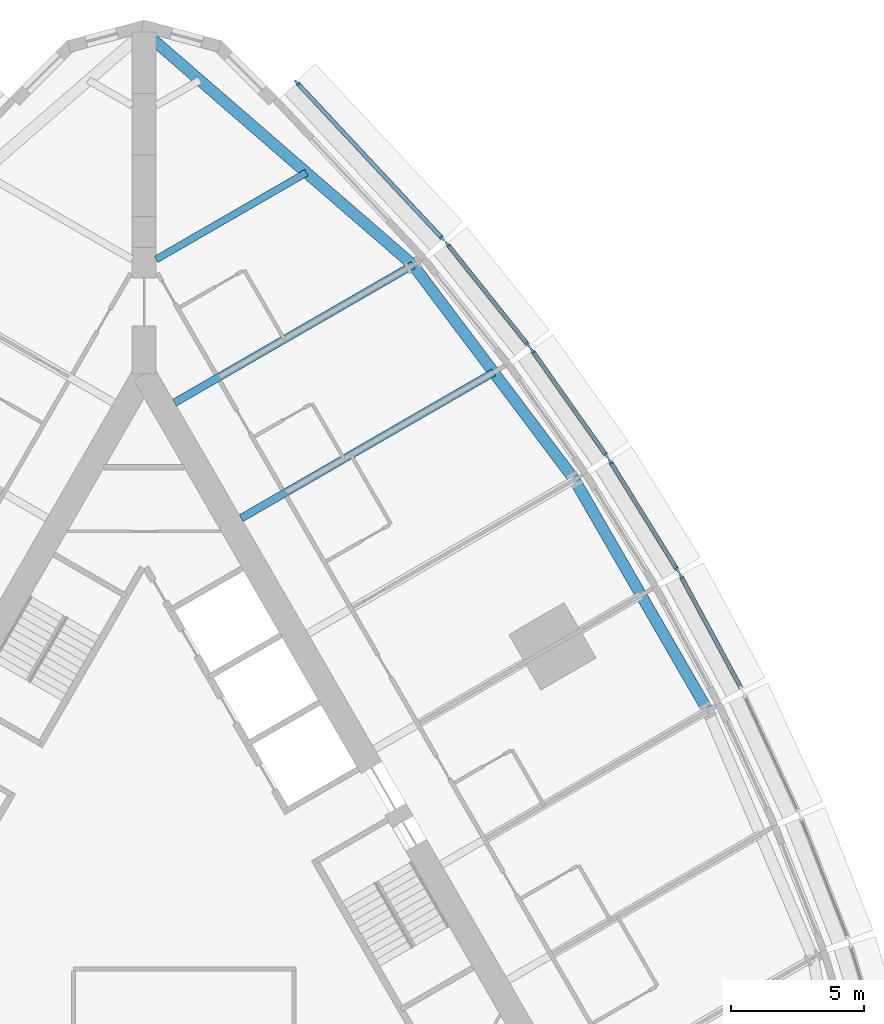
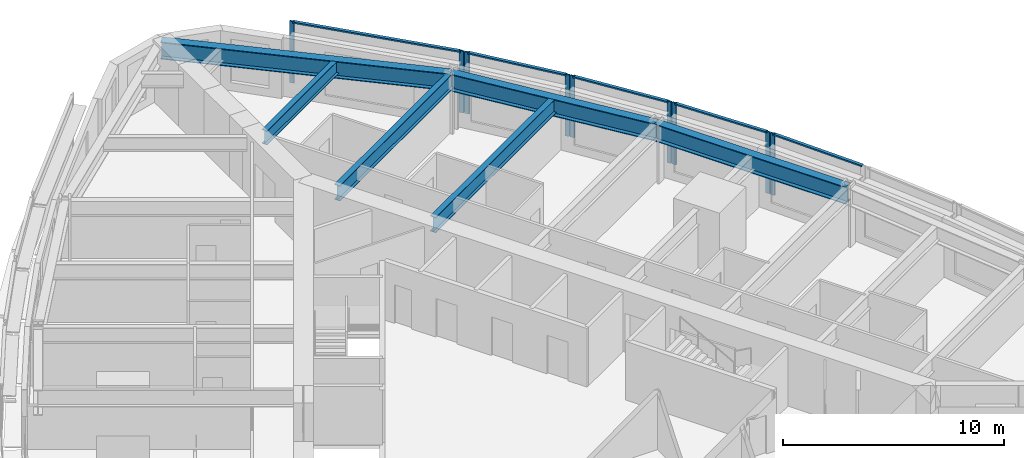
# One storey, part 5 of 14: 14 members, 6 beams, 5 elements without a shape of their own.
"""IFC4 building model written with IfcOpenShell, lengths in metres."""

from ifc_helpers import new_model, si_unit, direction, frame, origin, origin_2d, place, context, subcontext, project, spatial, rectangle, i_section, extrude, material, material_profile, profile_set, type_object, element, aggregate, save


model = new_model("IFC4")

# Units and contexts
model_context = context("Model", 3, precision=1e-05, world=origin(), true_north=direction((0.0, 1.0)))
body_context = subcontext(model_context, "Body", "Model", "MODEL_VIEW")
ifc_project = project(units=[si_unit("LENGTHUNIT", "METRE"), si_unit("AREAUNIT", "SQUARE_METRE"), si_unit("VOLUMEUNIT", "CUBIC_METRE"), si_unit("PLANEANGLEUNIT", "RADIAN"), si_unit("MASSUNIT", "GRAM", prefix="KILO")], contexts=[model_context])

# Site, building, storey
site_placement = place(None, origin())
site = spatial("IfcSite", under=ifc_project, at=site_placement, CompositionType="ELEMENT")
building_placement = place(site_placement, origin())
building = spatial("IfcBuilding", under=site, at=building_placement, Name="Trikona Tower", CompositionType="ELEMENT")
storey_placement = place(building_placement, frame((0.0, 0.0, 52.300048828125)))
storey = spatial("IfcBuildingStorey", under=building, at=storey_placement, Name="L12", CompositionType="ELEMENT", Elevation=52.300048828125)

# Curtain wall, member
ifc_material_1 = material(Name="Aluminium curtain wall system", Category="aluminium")
curtain_wall_type = type_object("IfcCurtainWallType", Name="Curtain wall DS1", PredefinedType="NOTDEFINED", material=ifc_material_1)
curtain_wall_1_placement = place(storey_placement, origin())
curtain_wall_1 = element("IfcCurtainWall", 1, at=curtain_wall_1_placement, inside=storey, type_object=curtain_wall_type, Name="Curtain wall DS1 L12", PredefinedType="NOTDEFINED")
ifc_material_2 = material(Name="Aluminium mullion, pale anodised", Category="aluminium")
ifc_material_profile_1 = material_profile(ifc_material_2, rectangle(XDim=0.080078125, YDim=0.219970703125, at=origin_2d()), Name="MUL-DS1")
ifc_profile_set_1 = profile_set([ifc_material_profile_1], Name="Aluminium mullion, pale anodised")
member_type_1 = type_object("IfcMemberType", Name="Mullion DS1 80x220", PredefinedType="MULLION", material=ifc_profile_set_1)
member_1_placement = place(storey_placement, frame((20.128662109375, 11.474365234375, 0.0), z_axis=(0.0, 0.0, 1.0), x_axis=(-0.880843080975, -0.473408350896, 0.0)))
member_1 = element("IfcMember", 2, at=member_1_placement, type_object=member_type_1, Name="CW-DS1 mullion 2", PredefinedType="MULLION", context=body_context, shape_type="SweptSolid", body=[
    extrude(rectangle(XDim=0.080078125, YDim=0.219970703125, at=origin_2d()), origin(), (0.0, 0.0, 1.0), 3.39990234375),
])

# Curtain wall, members
curtain_wall_2_placement = place(storey_placement, origin())
curtain_wall_2 = element("IfcCurtainWall", 3, at=curtain_wall_2_placement, inside=storey, type_object=curtain_wall_type, Name="Curtain wall DS1 L12", PredefinedType="NOTDEFINED")
member_2_placement = place(storey_placement, frame((20.00146484375, 11.69482421875, 0.0), z_axis=(0.0, 0.0, 1.0), x_axis=(-0.850410468941, -0.526119790842, 0.0)))
member_2 = element("IfcMember", 4, at=member_2_placement, type_object=member_type_1, Name="CW-DS1 mullion 1", PredefinedType="MULLION", context=body_context, shape_type="SweptSolid", body=[
    extrude(rectangle(XDim=0.080078125, YDim=0.219970703125, at=origin_2d()), origin(), (0.0, 0.0, 1.0), 3.39990234375),
])
member_3_placement = place(storey_placement, frame((17.474853515625, 15.77880859375, 0.0), z_axis=(0.0, 0.0, 1.0), x_axis=(-0.850410468941, -0.526119790842, 0.0)))
member_3 = element("IfcMember", 5, at=member_3_placement, type_object=member_type_1, Name="CW-DS1 mullion 2", PredefinedType="MULLION", context=body_context, shape_type="SweptSolid", body=[
    extrude(rectangle(XDim=0.080078125, YDim=0.219970703125, at=origin_2d()), origin(), (0.0, 0.0, 1.0), 3.39990234375),
])

curtain_wall_3_placement = place(storey_placement, origin())
curtain_wall_3 = element("IfcCurtainWall", 6, at=curtain_wall_3_placement, inside=storey, type_object=curtain_wall_type, Name="Curtain wall DS1 L12", PredefinedType="NOTDEFINED")
member_4_placement = place(storey_placement, frame((17.33447265625, 15.990966796875, 0.0), z_axis=(0.0, 0.0, 1.0), x_axis=(-0.816985393055, -0.576658362928, 0.0)))
member_4 = element("IfcMember", 7, at=member_4_placement, type_object=member_type_1, Name="CW-DS1 mullion 1", PredefinedType="MULLION", context=body_context, shape_type="SweptSolid", body=[
    extrude(rectangle(XDim=0.080078125, YDim=0.219970703125, at=origin_2d()), origin(), (0.0, 0.0, 1.0), 3.39990234375),
])
member_5_placement = place(storey_placement, frame((14.554443359375, 19.929443359375, 0.0), z_axis=(0.0, 0.0, 1.0), x_axis=(-0.816985393055, -0.576658362928, 0.0)))
member_5 = element("IfcMember", 8, at=member_5_placement, type_object=member_type_1, Name="CW-DS1 mullion 2", PredefinedType="MULLION", context=body_context, shape_type="SweptSolid", body=[
    extrude(rectangle(XDim=0.080078125, YDim=0.219970703125, at=origin_2d()), origin(), (0.0, 0.0, 1.0), 3.39990234375),
])

curtain_wall_4_placement = place(storey_placement, origin())
curtain_wall_4 = element("IfcCurtainWall", 9, at=curtain_wall_4_placement, inside=storey, type_object=curtain_wall_type, Name="Curtain wall DS1 L12", PredefinedType="NOTDEFINED")
member_6_placement = place(storey_placement, frame((14.40185546875, 20.13232421875, 0.0), z_axis=(0.0, 0.0, 1.0), x_axis=(-0.780937959679, -0.624608599951, 0.0)))
member_6 = element("IfcMember", 10, at=member_6_placement, type_object=member_type_1, Name="CW-DS1 mullion 1", PredefinedType="MULLION", context=body_context, shape_type="SweptSolid", body=[
    extrude(rectangle(XDim=0.080078125, YDim=0.219970703125, at=origin_2d()), origin(), (0.0, 0.0, 1.0), 3.39990234375),
])
member_7_placement = place(storey_placement, frame((11.36767578125, 23.926025390625, 0.0), z_axis=(0.0, 0.0, 1.0), x_axis=(-0.780937959679, -0.624608599951, 0.0)))
member_7 = element("IfcMember", 11, at=member_7_placement, type_object=member_type_1, Name="CW-DS1 mullion 2", PredefinedType="MULLION", context=body_context, shape_type="SweptSolid", body=[
    extrude(rectangle(XDim=0.080078125, YDim=0.219970703125, at=origin_2d()), origin(), (0.0, 0.0, 1.0), 3.39990234375),
])

curtain_wall_5_placement = place(storey_placement, origin())
curtain_wall_5 = element("IfcCurtainWall", 12, at=curtain_wall_5_placement, inside=storey, type_object=curtain_wall_type, Name="Curtain wall DS1 L12", PredefinedType="NOTDEFINED")
member_8_placement = place(storey_placement, frame((11.192138671875, 24.129150390625, 0.0), z_axis=(0.0, 0.0, 1.0), x_axis=(-0.731076639405, -0.682295351967, 0.0)))
member_8 = element("IfcMember", 13, at=member_8_placement, type_object=member_type_1, Name="CW-DS1 mullion 1", PredefinedType="MULLION", context=body_context, shape_type="SweptSolid", body=[
    extrude(rectangle(XDim=0.080078125, YDim=0.219970703125, at=origin_2d()), origin(), (0.0, 0.0, 1.0), 3.39990234375),
])
member_9_placement = place(storey_placement, frame((5.72607421875, 29.98583984375, 0.0), z_axis=(0.0, 0.0, 1.0), x_axis=(-0.731076639405, -0.682295351967, 0.0)))
member_9 = element("IfcMember", 14, at=member_9_placement, type_object=member_type_1, Name="CW-DS1 mullion 2", PredefinedType="MULLION", context=body_context, shape_type="SweptSolid", body=[
    extrude(rectangle(XDim=0.080078125, YDim=0.219970703125, at=origin_2d()), origin(), (0.0, 0.0, 1.0), 3.39990234375),
])

# Beams
ifc_material_3 = material(Name="Steel ASTM A992 Grade 50", Category="steel")
ifc_material_profile_2 = material_profile(ifc_material_3, i_section(OverallWidth=0.2666015625, OverallDepth=0.76953125, WebThickness=0.015625, FlangeThickness=0.025390625, at=origin_2d()), Name="W30X132")
ifc_profile_set_2 = profile_set([ifc_material_profile_2], Name="Steel ASTM A992 Grade 50")
beam_type_1 = type_object("IfcBeamType", Name="Steel beam W30x132 (wedge)", PredefinedType="BEAM", material=ifc_profile_set_2)
beam_1_placement = place(storey_placement, frame((0.449951171875, 23.353759765625, 2.85009765625), z_axis=(0.866022504693, 0.50000502134, 0.0), x_axis=(-0.50000502134, 0.866022504693, 0.0)))
element("IfcBeam", 15, at=beam_1_placement, inside=storey, type_object=beam_type_1, Name="Floor beam L13 F2 u20", PredefinedType="BEAM", context=body_context, shape_type="SweptSolid", body=[
    extrude(i_section(OverallWidth=0.2666015625, OverallDepth=0.76953125, WebThickness=0.015625, FlangeThickness=0.025390625, at=origin_2d()), origin(), (0.0, 0.0, 1.0), 6.5068359375),
])
ifc_material_4 = material(Name="Steel ASTM A992 Grade 50", Category="steel")
ifc_material_profile_3 = material_profile(ifc_material_4, i_section(OverallWidth=0.2919921875, OverallDepth=0.845703125, WebThickness=0.015380859375, FlangeThickness=0.0244140625, at=origin_2d()), Name="W33X141")
ifc_profile_set_3 = profile_set([ifc_material_profile_3], Name="Steel ASTM A992 Grade 50")
beam_type_2 = type_object("IfcBeamType", Name="Steel beam W33x141 (radial typ)", PredefinedType="BEAM", material=ifc_profile_set_3)
beam_2_placement = place(storey_placement, frame((3.6396484375, 13.6484375, 2.81201171875), z_axis=(0.866025348605, 0.500000095573, 0.0), x_axis=(-0.500000095573, 0.866025348605, 0.0)))
element("IfcBeam", 16, at=beam_2_placement, inside=storey, type_object=beam_type_2, Name="Floor beam L13 F2 u10", PredefinedType="BEAM", context=body_context, shape_type="SweptSolid", body=[
    extrude(i_section(OverallWidth=0.2919921875, OverallDepth=0.845703125, WebThickness=0.015380859375, FlangeThickness=0.0244140625, at=origin_2d()), origin(), (0.0, 0.0, 1.0), 10.935546875),
])
beam_3_placement = place(storey_placement, frame((1.1396484375, 17.978515625, 2.81201171875), z_axis=(0.866030471684, 0.499991222037, 0.0), x_axis=(-0.499991222037, 0.866030471684, 0.0)))
element("IfcBeam", 17, at=beam_3_placement, inside=storey, type_object=beam_type_2, Name="Floor beam L13 F2 u15", PredefinedType="BEAM", context=body_context, shape_type="SweptSolid", body=[
    extrude(i_section(OverallWidth=0.2919921875, OverallDepth=0.845703125, WebThickness=0.015380859375, FlangeThickness=0.0244140625, at=origin_2d()), origin(), (0.0, 0.0, 1.0), 10.326904296875),
])
ifc_material_5 = material(Name="Steel ASTM A992 Grade 50", Category="steel")
ifc_material_profile_4 = material_profile(ifc_material_5, i_section(OverallWidth=0.424072265625, OverallDepth=0.947509765625, WebThickness=0.02392578125, FlangeThickness=0.042724609375, at=origin_2d()), Name="W36X302")
ifc_profile_set_4 = profile_set([ifc_material_profile_4], Name="Steel ASTM A992 Grade 50")
beam_type_3 = type_object("IfcBeamType", Name="Steel beam W36x302 (spandrel)", PredefinedType="SPANDREL", material=ifc_profile_set_4)
beam_4_placement = place(storey_placement, frame((21.13720703125, 6.43017578125, 2.76123046875), z_axis=(-0.500004234368, 0.866022959057, 0.0), x_axis=(-0.866022959057, -0.500004234368, 0.0)))
element("IfcBeam", 18, at=beam_4_placement, inside=storey, type_object=beam_type_3, Name="Spandrel beam L13 F2-3", PredefinedType="SPANDREL", context=body_context, shape_type="SweptSolid", body=[
    extrude(i_section(OverallWidth=0.424072265625, OverallDepth=0.947509765625, WebThickness=0.02392578125, FlangeThickness=0.042724609375, at=origin_2d()), origin(), (0.0, 0.0, 1.0), 10.0),
])
beam_5_placement = place(storey_placement, frame((16.13720703125, 15.09033203125, 2.76123046875), z_axis=(-0.600988344191, 0.799257787042, 0.0), x_axis=(-0.799257787042, -0.600988344191, 0.0)))
element("IfcBeam", 19, at=beam_5_placement, inside=storey, type_object=beam_type_3, Name="Spandrel beam L13 F2-4", PredefinedType="SPANDREL", context=body_context, shape_type="SweptSolid", body=[
    extrude(i_section(OverallWidth=0.424072265625, OverallDepth=0.947509765625, WebThickness=0.02392578125, FlangeThickness=0.042724609375, at=origin_2d()), origin(), (0.0, 0.0, 1.0), 10.07373046875),
])
beam_6_placement = place(storey_placement, frame((10.0830078125, 23.141845703125, 2.76123046875), z_axis=(-0.755646822726, 0.654979296851, 0.0), x_axis=(-0.654979296851, -0.755646822726, 0.0)))
element("IfcBeam", 20, at=beam_6_placement, inside=storey, type_object=beam_type_3, Name="Spandrel beam L13 F2-5", PredefinedType="SPANDREL", context=body_context, shape_type="SweptSolid", body=[
    extrude(i_section(OverallWidth=0.424072265625, OverallDepth=0.947509765625, WebThickness=0.02392578125, FlangeThickness=0.042724609375, at=origin_2d()), origin(), (0.0, 0.0, 1.0), 13.343505859375),
])

# Member
ifc_material_6 = material(Name="Aluminium transom, pale anodised", Category="aluminium")
ifc_material_profile_5 = material_profile(ifc_material_6, rectangle(XDim=0.159912109375, YDim=0.080078125, at=origin_2d()), Name="TRN-DS1")
ifc_profile_set_5 = profile_set([ifc_material_profile_5], Name="Aluminium transom, pale anodised")
member_type_2 = type_object("IfcMemberType", Name="Transom DS1 80x160", PredefinedType="USERDEFINED", material=ifc_profile_set_5)
member_10_placement = place(storey_placement, frame((22.38330078125, 7.279541015625, 3.35986328125), z_axis=(-0.473427569755, 0.880832751546, 0.0), x_axis=(-0.880832751546, -0.473427569755, 0.0)))
member_10 = element("IfcMember", 21, at=member_10_placement, type_object=member_type_2, Name="CW-DS1 transom 1.1", ObjectType="TRANSOM", PredefinedType="USERDEFINED", context=body_context, shape_type="SweptSolid", body=[
    extrude(rectangle(XDim=0.159912109375, YDim=0.080078125, at=origin_2d()), origin(), (0.0, 0.0, 1.0), 4.72216796875),
])

aggregate(curtain_wall_1, [member_1, member_10])

member_11_placement = place(storey_placement, frame((19.980224609375, 11.728759765625, 3.35986328125), z_axis=(-0.526080502257, 0.850434774186, 0.0), x_axis=(-0.850434774186, -0.526080502257, 0.0)))
member_11 = element("IfcMember", 22, at=member_11_placement, type_object=member_type_2, Name="CW-DS1 transom 1.1", ObjectType="TRANSOM", PredefinedType="USERDEFINED", context=body_context, shape_type="SweptSolid", body=[
    extrude(rectangle(XDim=0.159912109375, YDim=0.080078125, at=origin_2d()), origin(), (0.0, 0.0, 1.0), 4.722412109375),
])

aggregate(curtain_wall_2, [member_2, member_3, member_11])

member_12_placement = place(storey_placement, frame((17.311279296875, 16.023681640625, 3.35986328125), z_axis=(-0.57664478015, 0.816994980111, 0.0), x_axis=(-0.816994980111, -0.57664478015, 0.0)))
member_12 = element("IfcMember", 23, at=member_12_placement, type_object=member_type_2, Name="CW-DS1 transom 1.1", ObjectType="TRANSOM", PredefinedType="USERDEFINED", context=body_context, shape_type="SweptSolid", body=[
    extrude(rectangle(XDim=0.159912109375, YDim=0.080078125, at=origin_2d()), origin(), (0.0, 0.0, 1.0), 4.740478515625),
])

aggregate(curtain_wall_3, [member_4, member_5, member_12])

member_13_placement = place(storey_placement, frame((14.376953125, 20.16357421875, 3.35986328125), z_axis=(-0.624589103832, 0.780953552636, 0.0), x_axis=(-0.780953552636, -0.624589103832, 0.0)))
member_13 = element("IfcMember", 24, at=member_13_placement, type_object=member_type_2, Name="CW-DS1 transom 1.1", ObjectType="TRANSOM", PredefinedType="USERDEFINED", context=body_context, shape_type="SweptSolid", body=[
    extrude(rectangle(XDim=0.159912109375, YDim=0.080078125, at=origin_2d()), origin(), (0.0, 0.0, 1.0), 4.77783203125),
])

aggregate(curtain_wall_4, [member_6, member_7, member_13])

member_14_placement = place(storey_placement, frame((11.164794921875, 24.158203125, 3.35986328125), z_axis=(-0.682290830921, 0.731080858758, 0.0), x_axis=(-0.731080858758, -0.682290830921, 0.0)))
member_14 = element("IfcMember", 25, at=member_14_placement, type_object=member_type_2, Name="CW-DS1 transom 1.1", ObjectType="TRANSOM", PredefinedType="USERDEFINED", context=body_context, shape_type="SweptSolid", body=[
    extrude(rectangle(XDim=0.159912109375, YDim=0.080078125, at=origin_2d()), origin(), (0.0, 0.0, 1.0), 7.93115234375),
])

aggregate(curtain_wall_5, [member_8, member_9, member_14])

save(model, "model.ifc")
